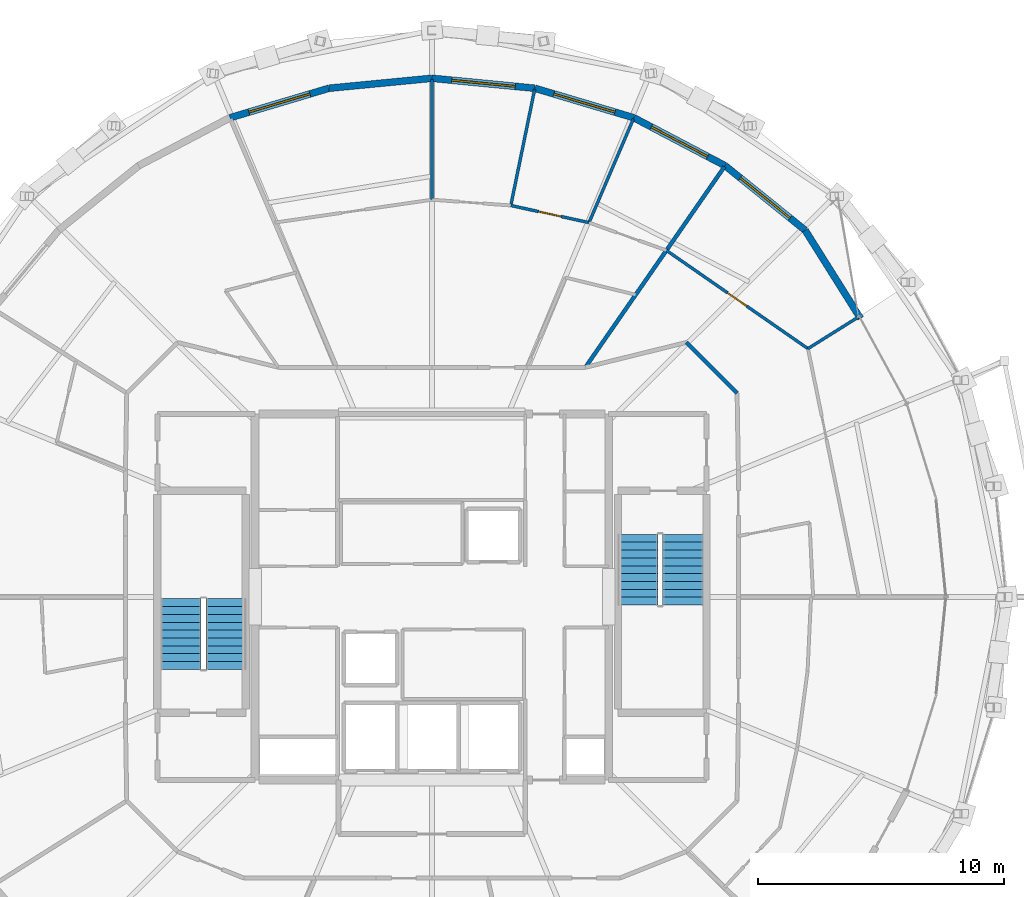
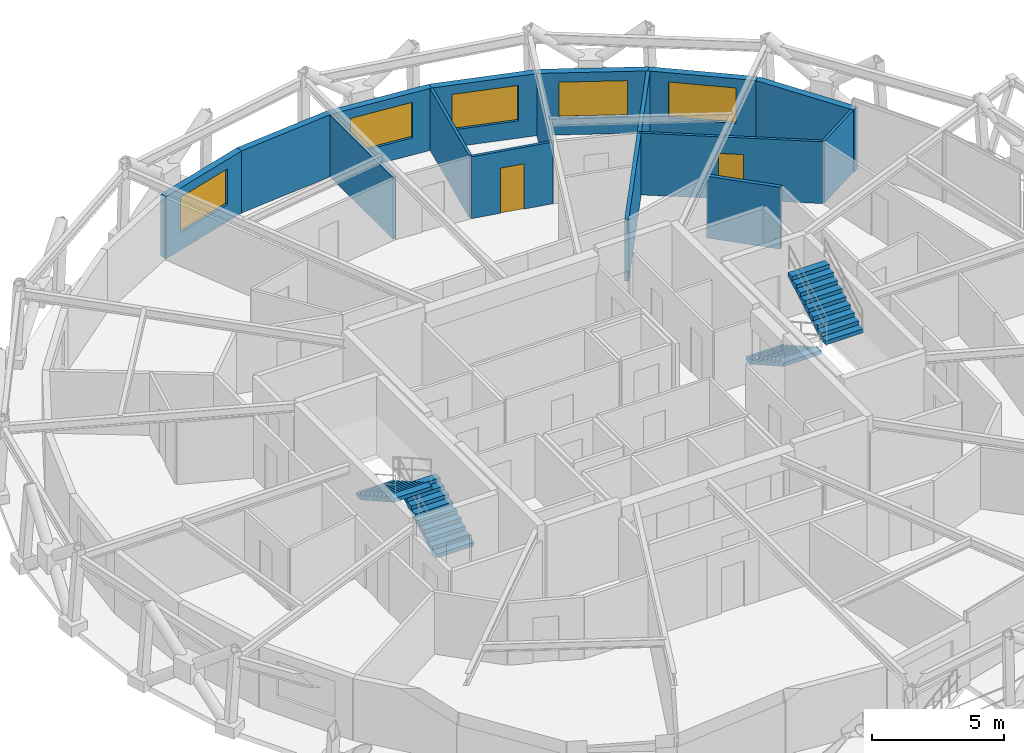
# One storey, part 17 of 18: 15 walls, 5 windows, 4 stair flights, 2 doors, 7 openings, 2 elements without a shape of their own.
"""IFC4 building model written with IfcOpenShell, lengths in metres."""

from ifc_helpers import new_model, si_unit, direction, frame, frame_2d, origin, place, context, subcontext, project, spatial, polyline, rectangle, outline, extrude, material, layer, layer_set, type_object, element, fill, aggregate, save


model = new_model("IFC4")

# Units and contexts
model_context = context("Model", 3, precision=1e-05, world=origin(), true_north=direction((0.0, 1.0)))
body_context = subcontext(model_context, "Body", "Model", "MODEL_VIEW")
ifc_project = project(units=[si_unit("LENGTHUNIT", "METRE"), si_unit("AREAUNIT", "SQUARE_METRE"), si_unit("VOLUMEUNIT", "CUBIC_METRE"), si_unit("PLANEANGLEUNIT", "RADIAN"), si_unit("MASSUNIT", "GRAM", prefix="KILO")], contexts=[model_context])

# Site, building, storey
site_placement = place(None, origin())
site = spatial("IfcSite", under=ifc_project, at=site_placement, CompositionType="ELEMENT")
building_placement = place(site_placement, origin())
building = spatial("IfcBuilding", under=site, at=building_placement, Name="Veldorina Hangang Commons", CompositionType="ELEMENT")
storey_placement = place(building_placement, frame((0.0, 0.0, 243.60009765625)))
storey = spatial("IfcBuildingStorey", under=building, at=storey_placement, Name="L63", CompositionType="ELEMENT", Elevation=243.60009765625)

# Wall
ifc_material_1 = material(Name="Stone Roman Travertine", Category="masonry")
ifc_layer_1 = layer(ifc_material_1, 0.280029296875)
ifc_layer_set_1 = layer_set([ifc_layer_1], Name="Stone Roman Travertine")
wall_type_1 = type_object("IfcWallType", Name="EW-TRAV-280", PredefinedType="STANDARD", material=ifc_layer_set_1)
wall_1_placement = place(storey_placement, frame((49.454345703125, 35.345703125, 0.0), z_axis=(0.0, 0.0, 1.0), x_axis=(-0.532176262315, 0.846633584161, 0.0)))
element("IfcWall", 1, at=wall_1_placement, inside=storey, type_object=wall_type_1, Name="L63 travertine facade wall 03", PredefinedType="STANDARD", context=body_context, shape_type="SweptSolid", body=[
    extrude(rectangle(XDim=4.23974609375, YDim=0.280029296875, at=frame_2d((2.119873046875, 0.0))), origin(), (0.0, 0.0, 1.0), 2.8798828125),
])

# Wall, opening, window
wall_2_placement = place(storey_placement, frame((47.197998046875, 38.935302734375, 0.0), z_axis=(0.0, 0.0, 1.0), x_axis=(-0.778409360575, 0.627757012999, 0.0)))
wall_2 = element("IfcWall", 2, at=wall_2_placement, inside=storey, type_object=wall_type_1, Name="L63 travertine facade wall 04", PredefinedType="STANDARD", context=body_context, shape_type="SweptSolid", body=[
    extrude(rectangle(XDim=4.184326171875, YDim=0.280029296875, at=frame_2d((2.09228515625, 0.0))), origin(), (0.0, 0.0, 1.0), 2.8798828125),
])
opening_1_placement = place(wall_2_placement, frame((0.7919921875, 0.0, 0.800048828125)))
opening_1 = element("IfcOpeningElement", 3, at=opening_1_placement, cuts=wall_2, Name="Opening W-02", PredefinedType="OPENING", context=body_context, shape_type="SweptSolid", body=[
    extrude(rectangle(XDim=2.60009765625, YDim=1.64990234375, at=frame_2d((1.300048828125, 0.824951171875))), frame((0.0, 0.14990234375, 0.0), z_axis=(0.0, -1.0, 0.0), x_axis=(1.0, 0.0, 0.0)), (0.0, 0.0, 1.0), 0.300048828125),
])
ifc_material_2 = material(Name="Glass Low-E Triple IGU", Category="glass")
window_type = type_object("IfcWindowType", Name="WIN-TWR-2600", PartitioningType="SINGLE_PANEL", PredefinedType="WINDOW", material=ifc_material_2)
window_1_placement = place(opening_1_placement, origin())
window_1 = element("IfcWindow", 4, at=window_1_placement, inside=storey, type_object=window_type, Name="L63 facade window 04", OverallHeight=1.64990234375, OverallWidth=2.60009765625, PartitioningType="SINGLE_PANEL", PredefinedType="WINDOW", context=body_context, shape_type="SweptSolid", body=[
    extrude(rectangle(XDim=2.60009765625, YDim=1.64990234375, at=frame_2d((1.300048828125, 0.824951171875))), frame((0.0, 0.030029296875, 0.0), z_axis=(0.0, -1.0, 0.0), x_axis=(1.0, 0.0, 0.0)), (0.0, 0.0, 1.0), 0.06005859375),
])
fill(opening_1, window_1)

wall_3_placement = place(storey_placement, frame((43.94091796875, 41.56201171875, 0.0), z_axis=(0.0, 0.0, 1.0), x_axis=(-0.885290153249, 0.46503907853, 0.0)))
wall_3 = element("IfcWall", 5, at=wall_3_placement, inside=storey, type_object=wall_type_1, Name="L63 travertine facade wall 05", PredefinedType="STANDARD", context=body_context, shape_type="SweptSolid", body=[
    extrude(rectangle(XDim=4.197265625, YDim=0.280029296875, at=frame_2d((2.0986328125, 0.0))), origin(), (0.0, 0.0, 1.0), 2.8798828125),
])
opening_2_placement = place(wall_3_placement, frame((0.798583984375, 0.0, 0.800048828125)))
opening_2 = element("IfcOpeningElement", 6, at=opening_2_placement, cuts=wall_3, Name="Opening W-02", PredefinedType="OPENING", context=body_context, shape_type="SweptSolid", body=[
    extrude(rectangle(XDim=2.60009765625, YDim=1.64990234375, at=frame_2d((1.300048828125, 0.824951171875))), frame((0.0, 0.14990234375, 0.0), z_axis=(0.0, -1.0, 0.0), x_axis=(1.0, 0.0, 0.0)), (0.0, 0.0, 1.0), 0.300048828125),
])
window_2_placement = place(opening_2_placement, origin())
window_2 = element("IfcWindow", 7, at=window_2_placement, inside=storey, type_object=window_type, Name="L63 facade window 05", OverallHeight=1.64990234375, OverallWidth=2.60009765625, PartitioningType="SINGLE_PANEL", PredefinedType="WINDOW", context=body_context, shape_type="SweptSolid", body=[
    extrude(rectangle(XDim=2.60009765625, YDim=1.64990234375, at=frame_2d((1.300048828125, 0.824951171875))), frame((0.0, 0.030029296875, 0.0), z_axis=(0.0, -1.0, 0.0), x_axis=(1.0, 0.0, 0.0)), (0.0, 0.0, 1.0), 0.06005859375),
])
fill(opening_2, window_2)

wall_4_placement = place(storey_placement, frame((40.22509765625, 43.513916015625, 0.0), z_axis=(0.0, 0.0, 1.0), x_axis=(-0.958312014412, 0.285723788009, 0.0)))
wall_4 = element("IfcWall", 8, at=wall_4_placement, inside=storey, type_object=wall_type_1, Name="L63 travertine facade wall 06", PredefinedType="STANDARD", context=body_context, shape_type="SweptSolid", body=[
    extrude(rectangle(XDim=4.207275390625, YDim=0.280029296875, at=frame_2d((2.103515625, 0.0))), origin(), (0.0, 0.0, 1.0), 2.8798828125),
])
opening_3_placement = place(wall_4_placement, frame((0.8037109375, 0.0, 0.800048828125)))
opening_3 = element("IfcOpeningElement", 9, at=opening_3_placement, cuts=wall_4, Name="Opening W-02", PredefinedType="OPENING", context=body_context, shape_type="SweptSolid", body=[
    extrude(rectangle(XDim=2.60009765625, YDim=1.64990234375, at=frame_2d((1.300048828125, 0.824951171875))), frame((0.0, 0.14990234375, 0.0), z_axis=(0.0, -1.0, 0.0), x_axis=(1.0, 0.0, 0.0)), (0.0, 0.0, 1.0), 0.300048828125),
])
window_3_placement = place(opening_3_placement, origin())
window_3 = element("IfcWindow", 10, at=window_3_placement, inside=storey, type_object=window_type, Name="L63 facade window 06", OverallHeight=1.64990234375, OverallWidth=2.60009765625, PartitioningType="SINGLE_PANEL", PredefinedType="WINDOW", context=body_context, shape_type="SweptSolid", body=[
    extrude(rectangle(XDim=2.60009765625, YDim=1.64990234375, at=frame_2d((1.300048828125, 0.824951171875))), frame((0.0, 0.030029296875, 0.0), z_axis=(0.0, -1.0, 0.0), x_axis=(1.0, 0.0, 0.0)), (0.0, 0.0, 1.0), 0.06005859375),
])
fill(opening_3, window_3)

wall_5_placement = place(storey_placement, frame((36.193115234375, 44.716064453125, 0.0), z_axis=(0.0, 0.0, 1.0), x_axis=(-0.995350551252, 0.096318638497, 0.0)))
wall_5 = element("IfcWall", 11, at=wall_5_placement, inside=storey, type_object=wall_type_1, Name="L63 travertine facade wall 07", PredefinedType="STANDARD", context=body_context, shape_type="SweptSolid", body=[
    extrude(rectangle(XDim=4.212646484375, YDim=0.280029296875, at=frame_2d((2.1064453125, 0.0))), origin(), (0.0, 0.0, 1.0), 2.8798828125),
])
opening_4_placement = place(wall_5_placement, frame((0.806396484375, 0.0, 0.800048828125)))
opening_4 = element("IfcOpeningElement", 12, at=opening_4_placement, cuts=wall_5, Name="Opening W-02", PredefinedType="OPENING", context=body_context, shape_type="SweptSolid", body=[
    extrude(rectangle(XDim=2.60009765625, YDim=1.64990234375, at=frame_2d((1.300048828125, 0.824951171875))), frame((0.0, 0.14990234375, 0.0), z_axis=(0.0, -1.0, 0.0), x_axis=(1.0, 0.0, 0.0)), (0.0, 0.0, 1.0), 0.300048828125),
])
window_4_placement = place(opening_4_placement, origin())
window_4 = element("IfcWindow", 13, at=window_4_placement, inside=storey, type_object=window_type, Name="L63 facade window 07", OverallHeight=1.64990234375, OverallWidth=2.60009765625, PartitioningType="SINGLE_PANEL", PredefinedType="WINDOW", context=body_context, shape_type="SweptSolid", body=[
    extrude(rectangle(XDim=2.60009765625, YDim=1.64990234375, at=frame_2d((1.300048828125, 0.824951171875))), frame((0.0, 0.030029296875, 0.0), z_axis=(0.0, -1.0, 0.0), x_axis=(1.0, 0.0, 0.0)), (0.0, 0.0, 1.0), 0.06005859375),
])
fill(opening_4, window_4)

# Wall
wall_6_placement = place(storey_placement, frame((32.0, 45.121826171875, 0.0), z_axis=(0.0, 0.0, 1.0), x_axis=(-0.995350551252, -0.096318638497, 0.0)))
element("IfcWall", 14, at=wall_6_placement, inside=storey, type_object=wall_type_1, Name="L63 travertine facade wall 08", PredefinedType="STANDARD", context=body_context, shape_type="SweptSolid", body=[
    extrude(rectangle(XDim=4.212646484375, YDim=0.280029296875, at=frame_2d((2.1064453125, 0.0))), origin(), (0.0, 0.0, 1.0), 2.8798828125),
])

# Wall, opening, window
wall_7_placement = place(storey_placement, frame((27.806884765625, 44.716064453125, 0.0), z_axis=(0.0, 0.0, 1.0), x_axis=(-0.958312014412, -0.285723788009, 0.0)))
wall_7 = element("IfcWall", 15, at=wall_7_placement, inside=storey, type_object=wall_type_1, Name="L63 travertine facade wall 09", PredefinedType="STANDARD", context=body_context, shape_type="SweptSolid", body=[
    extrude(rectangle(XDim=4.207275390625, YDim=0.280029296875, at=frame_2d((2.103515625, 0.0))), origin(), (0.0, 0.0, 1.0), 2.8798828125),
])
opening_5_placement = place(wall_7_placement, frame((0.8037109375, 0.0, 0.800048828125)))
opening_5 = element("IfcOpeningElement", 16, at=opening_5_placement, cuts=wall_7, Name="Opening W-02", PredefinedType="OPENING", context=body_context, shape_type="SweptSolid", body=[
    extrude(rectangle(XDim=2.60009765625, YDim=1.64990234375, at=frame_2d((1.300048828125, 0.824951171875))), frame((0.0, 0.14990234375, 0.0), z_axis=(0.0, -1.0, 0.0), x_axis=(1.0, 0.0, 0.0)), (0.0, 0.0, 1.0), 0.300048828125),
])
window_5_placement = place(opening_5_placement, origin())
window_5 = element("IfcWindow", 17, at=window_5_placement, inside=storey, type_object=window_type, Name="L63 facade window 09", OverallHeight=1.64990234375, OverallWidth=2.60009765625, PartitioningType="SINGLE_PANEL", PredefinedType="WINDOW", context=body_context, shape_type="SweptSolid", body=[
    extrude(rectangle(XDim=2.60009765625, YDim=1.64990234375, at=frame_2d((1.300048828125, 0.824951171875))), frame((0.0, 0.030029296875, 0.0), z_axis=(0.0, -1.0, 0.0), x_axis=(1.0, 0.0, 0.0)), (0.0, 0.0, 1.0), 0.06005859375),
])
fill(opening_5, window_5)

# Walls
ifc_material_3 = material(Name="Gypsum Fire-Rated Twin Stud Wall", Category="gypsum")
ifc_layer_2 = layer(ifc_material_3, 0.159912109375)
ifc_layer_set_2 = layer_set([ifc_layer_2], Name="Gypsum Fire-Rated Twin Stud Wall")
wall_type_2 = type_object("IfcWallType", Name="WL-FIRE-160", PredefinedType="SOLIDWALL", material=ifc_layer_set_2)
wall_8_placement = place(storey_placement, frame((44.4267578125, 32.30322265625, 0.0), z_axis=(0.0, 0.0, 1.0), x_axis=(-0.707106781187, 0.707106781187, 0.0)))
element("IfcWall", 18, at=wall_8_placement, inside=storey, type_object=wall_type_2, Name="L63 Compact collar outer wall 03 055", PredefinedType="SOLIDWALL", context=body_context, shape_type="SweptSolid", body=[
    extrude(rectangle(XDim=2.915771484375, YDim=0.159912109375, at=frame_2d((1.4580078125, 0.0))), origin(), (0.0, 0.0, 1.0), 2.869873046875),
])
wall_9_placement = place(storey_placement, frame((38.24755859375, 33.35009765625, 0.0), z_axis=(0.0, 0.0, 1.0), x_axis=(0.56977166182, 0.821803050242, 0.0)))
element("IfcWall", 19, at=wall_9_placement, inside=storey, type_object=wall_type_2, Name="L63 Unit party wall 05 095", PredefinedType="SOLIDWALL", context=body_context, shape_type="SweptSolid", body=[
    extrude(rectangle(XDim=9.942626953125, YDim=0.159912109375, at=frame_2d((4.97119140625, 0.0))), origin(), (0.0, 0.0, 1.0), 2.869873046875),
])

# Wall, opening, door
ifc_material_4 = material(Name="Gypsum Acoustic Stud Partition", Category="gypsum")
ifc_layer_3 = layer(ifc_material_4, 0.1201171875)
ifc_layer_set_3 = layer_set([ifc_layer_3], Name="Gypsum Acoustic Stud Partition")
wall_type_3 = type_object("IfcWallType", Name="WL-PART-120", PredefinedType="PARTITIONING", material=ifc_layer_set_3)
wall_10_placement = place(storey_placement, frame((47.314208984375, 34.113037109375, 0.0), z_axis=(0.0, 0.0, 1.0), x_axis=(-0.821574143978, 0.570101680358, 0.0)))
wall_10 = element("IfcWall", 20, at=wall_10_placement, inside=storey, type_object=wall_type_3, Name="L63 Cluster 2 bed 2 front wall 093", PredefinedType="PARTITIONING", context=body_context, shape_type="SweptSolid", body=[
    extrude(rectangle(XDim=7.016357421875, YDim=0.1201171875, at=frame_2d((3.50830078125, 0.0))), origin(), (0.0, 0.0, 1.0), 2.869873046875),
])
opening_6_placement = place(wall_10_placement, frame((3.033203125, 0.0, 0.0)))
opening_6 = element("IfcOpeningElement", 21, at=opening_6_placement, cuts=wall_10, Name="Opening D-02", PredefinedType="OPENING", context=body_context, shape_type="SweptSolid", body=[
    extrude(rectangle(XDim=0.949951171875, YDim=2.10009765625, at=frame_2d((0.47509765625, 1.050048828125))), frame((0.0, 0.070068359375, 0.0), z_axis=(0.0, -1.0, 0.0), x_axis=(1.0, 0.0, 0.0)), (0.0, 0.0, 1.0), 0.14013671875),
])
ifc_material_5 = material(Name="Timber Solid Core Acoustic", Category="wood")
door_type = type_object("IfcDoorType", Name="DR-INT-950", OperationType="SINGLE_SWING_LEFT", PredefinedType="DOOR", material=ifc_material_5)
door_1_placement = place(opening_6_placement, origin())
door_1 = element("IfcDoor", 22, at=door_1_placement, inside=storey, type_object=door_type, Name="L63 Cluster 2 bed 2 door 025", OperationType="SINGLE_SWING_LEFT", OverallHeight=2.10009765625, OverallWidth=0.949951171875, PredefinedType="DOOR", context=body_context, shape_type="SweptSolid", body=[
    extrude(rectangle(XDim=0.949951171875, YDim=2.10009765625, at=frame_2d((0.47509765625, 1.050048828125))), frame((0.0, 0.02490234375, 0.0), z_axis=(0.0, -1.0, 0.0), x_axis=(1.0, 0.0, 0.0)), (0.0, 0.0, 1.0), 0.050048828125),
])
fill(opening_6, door_1)

# Wall
wall_11_placement = place(storey_placement, frame((47.314208984375, 34.113037109375, 0.0), z_axis=(0.0, 0.0, 1.0), x_axis=(0.847333885664, 0.5310605297, 0.0)))
element("IfcWall", 23, at=wall_11_placement, inside=storey, type_object=wall_type_3, Name="L63 Cluster 2 bed divider 1 094", PredefinedType="PARTITIONING", context=body_context, shape_type="SweptSolid", body=[
    extrude(rectangle(XDim=2.417724609375, YDim=0.1201171875, at=frame_2d((1.208984375, 0.0))), origin(), (0.0, 0.0, 1.0), 2.869873046875),
])

# Wall, opening, door
wall_12_placement = place(storey_placement, frame((38.397216796875, 39.2451171875, 0.0), z_axis=(0.0, 0.0, 1.0), x_axis=(-0.976852106819, 0.213915781098, 0.0)))
wall_12 = element("IfcWall", 24, at=wall_12_placement, inside=storey, type_object=wall_type_3, Name="L63 Cluster 3 bed 2 front wall 099", PredefinedType="PARTITIONING", context=body_context, shape_type="SweptSolid", body=[
    extrude(rectangle(XDim=3.259521484375, YDim=0.1201171875, at=frame_2d((1.6298828125, 0.0))), origin(), (0.0, 0.0, 1.0), 2.869873046875),
])
opening_7_placement = place(wall_12_placement, frame((1.15478515625, 0.0, 0.0)))
opening_7 = element("IfcOpeningElement", 25, at=opening_7_placement, cuts=wall_12, Name="Opening D-02", PredefinedType="OPENING", context=body_context, shape_type="SweptSolid", body=[
    extrude(rectangle(XDim=0.949951171875, YDim=2.10009765625, at=frame_2d((0.47509765625, 1.050048828125))), frame((0.0, 0.070068359375, 0.0), z_axis=(0.0, -1.0, 0.0), x_axis=(1.0, 0.0, 0.0)), (0.0, 0.0, 1.0), 0.14013671875),
])
door_2_placement = place(opening_7_placement, origin())
door_2 = element("IfcDoor", 26, at=door_2_placement, inside=storey, type_object=door_type, Name="L63 Cluster 3 bed 2 door 029", OperationType="SINGLE_SWING_LEFT", OverallHeight=2.10009765625, OverallWidth=0.949951171875, PredefinedType="DOOR", context=body_context, shape_type="SweptSolid", body=[
    extrude(rectangle(XDim=0.949951171875, YDim=2.10009765625, at=frame_2d((0.47509765625, 1.050048828125))), frame((0.0, 0.02490234375, 0.0), z_axis=(0.0, -1.0, 0.0), x_axis=(1.0, 0.0, 0.0)), (0.0, 0.0, 1.0), 0.050048828125),
])
fill(opening_7, door_2)

# Walls
wall_13_placement = place(storey_placement, frame((38.397216796875, 39.2451171875, 0.0), z_axis=(0.0, 0.0, 1.0), x_axis=(0.393604976549, 0.919279675853, 0.0)))
element("IfcWall", 27, at=wall_13_placement, inside=storey, type_object=wall_type_3, Name="L63 Cluster 3 bed divider 1 100", PredefinedType="PARTITIONING", context=body_context, shape_type="SweptSolid", body=[
    extrude(rectangle(XDim=4.59375, YDim=0.1201171875, at=frame_2d((2.296875, 0.0))), origin(), (0.0, 0.0, 1.0), 2.869873046875),
])
wall_14_placement = place(storey_placement, frame((35.213134765625, 39.9423828125, 0.0), z_axis=(0.0, 0.0, 1.0), x_axis=(0.201107301766, 0.979569218165, 0.0)))
element("IfcWall", 28, at=wall_14_placement, inside=storey, type_object=wall_type_3, Name="L63 Cluster 3 bed divider 2 102", PredefinedType="PARTITIONING", context=body_context, shape_type="SweptSolid", body=[
    extrude(rectangle(XDim=4.8232421875, YDim=0.1201171875, at=frame_2d((2.41162109375, 0.0))), origin(), (0.0, 0.0, 1.0), 2.869873046875),
])
wall_15_placement = place(storey_placement, frame((32.0, 40.177490234375, 0.0), z_axis=(0.0, 0.0, 1.0), x_axis=(0.0, 1.0, 0.0)))
element("IfcWall", 29, at=wall_15_placement, inside=storey, type_object=wall_type_3, Name="L63 Cluster 3 bed divider 3 104", PredefinedType="PARTITIONING", context=body_context, shape_type="SweptSolid", body=[
    extrude(rectangle(XDim=4.894287109375, YDim=0.1201171875, at=frame_2d((2.447265625, 0.0))), origin(), (0.0, 0.0, 1.0), 2.869873046875),
])

# Stair, stair flights
ifc_material_6 = material(Name="Concrete C40/50", Category="concrete")
stair_type = type_object("IfcStairType", Name="STR-DOG-1650-20R", PredefinedType="HALF_TURN_STAIR", material=ifc_material_6)
stair_1_placement = place(storey_placement, origin())
stair_1 = element("IfcStair", 30, at=stair_1_placement, inside=storey, type_object=stair_type, Name="L63 Exit stair ST-1", PredefinedType="HALF_TURN_STAIR")
stair_flight_type = type_object("IfcStairFlightType", Name="SFL-STR-1650-20R", PredefinedType="STRAIGHT", material=ifc_material_6)
stair_flight_1_placement = place(storey_placement, frame((23.625, 21.050048828125, 0.0), z_axis=(0.0, 0.0, 1.0), x_axis=(0.0, 1.0, 0.0)))
stair_flight_1 = element("IfcStairFlight", 31, at=stair_flight_1_placement, type_object=stair_flight_type, Name="ST-1 flight 1", NumberOfRisers=10, NumberOfTreads=9, PredefinedType="STRAIGHT", RiserHeight=0.18, TreadLength=0.32, context=body_context, shape_type="SweptSolid", body=[
    extrude(outline(polyline([(0.0, 0.0), (0.0, 0.179931640625), (0.320068359375, 0.179931640625), (0.320068359375, 0.360107421875), (0.639892578125, 0.360107421875), (0.639892578125, 0.5400390625), (0.9599609375, 0.5400390625), (0.9599609375, 0.719970703125), (1.280029296875, 0.719970703125), (1.280029296875, 0.89990234375), (1.60009765625, 0.89990234375), (1.60009765625, 1.080078125), (1.919921875, 1.080078125), (1.919921875, 1.260009765625), (2.239990234375, 1.260009765625), (2.239990234375, 1.43994140625), (2.56005859375, 1.43994140625), (2.56005859375, 1.6201171875), (2.8798828125, 1.6201171875), (2.8798828125, 1.800048828125), (2.8798828125, 1.447998046875), (0.3056640625, 0.0), (0.0, 0.0)])), frame((0.0, 0.824951171875, 0.0), z_axis=(0.0, -1.0, 0.0), x_axis=(1.0, 0.0, 0.0)), (0.0, 0.0, 1.0), 1.64990234375),
])
stair_flight_2_placement = place(storey_placement, frame((21.77490234375, 23.929931640625, 1.7998046875), z_axis=(0.0, 0.0, 1.0), x_axis=(0.0, -1.0, 0.0)))
stair_flight_2 = element("IfcStairFlight", 32, at=stair_flight_2_placement, type_object=stair_flight_type, Name="ST-1 flight 2", NumberOfRisers=10, NumberOfTreads=9, PredefinedType="STRAIGHT", RiserHeight=0.18, TreadLength=0.32, context=body_context, shape_type="SweptSolid", body=[
    extrude(outline(polyline([(0.0, 0.0), (0.0, 0.179931640625), (0.320068359375, 0.179931640625), (0.320068359375, 0.360107421875), (0.639892578125, 0.360107421875), (0.639892578125, 0.5400390625), (0.9599609375, 0.5400390625), (0.9599609375, 0.719970703125), (1.280029296875, 0.719970703125), (1.280029296875, 0.89990234375), (1.60009765625, 0.89990234375), (1.60009765625, 1.080078125), (1.919921875, 1.080078125), (1.919921875, 1.260009765625), (2.239990234375, 1.260009765625), (2.239990234375, 1.43994140625), (2.56005859375, 1.43994140625), (2.56005859375, 1.6201171875), (2.8798828125, 1.6201171875), (2.8798828125, 1.800048828125), (2.8798828125, 1.447998046875), (0.3056640625, 0.0), (0.0, 0.0)])), frame((0.0, 0.824951171875, 0.0), z_axis=(0.0, -1.0, 0.0), x_axis=(1.0, 0.0, 0.0)), (0.0, 0.0, 1.0), 1.64990234375),
])
aggregate(stair_1, [stair_flight_1, stair_flight_2])

stair_2_placement = place(storey_placement, origin())
stair_2 = element("IfcStair", 33, at=stair_2_placement, inside=storey, type_object=stair_type, Name="L63 Exit stair ST-2", PredefinedType="HALF_TURN_STAIR")
stair_flight_3_placement = place(storey_placement, frame((40.375, 26.550048828125, 0.0), z_axis=(0.0, 0.0, 1.0), x_axis=(0.0, -1.0, 0.0)))
stair_flight_3 = element("IfcStairFlight", 34, at=stair_flight_3_placement, type_object=stair_flight_type, Name="ST-2 flight 1", NumberOfRisers=10, NumberOfTreads=9, PredefinedType="STRAIGHT", RiserHeight=0.18, TreadLength=0.32, context=body_context, shape_type="SweptSolid", body=[
    extrude(outline(polyline([(0.0, 0.0), (0.0, 0.179931640625), (0.320068359375, 0.179931640625), (0.320068359375, 0.360107421875), (0.639892578125, 0.360107421875), (0.639892578125, 0.5400390625), (0.9599609375, 0.5400390625), (0.9599609375, 0.719970703125), (1.280029296875, 0.719970703125), (1.280029296875, 0.89990234375), (1.60009765625, 0.89990234375), (1.60009765625, 1.080078125), (1.919921875, 1.080078125), (1.919921875, 1.260009765625), (2.239990234375, 1.260009765625), (2.239990234375, 1.43994140625), (2.56005859375, 1.43994140625), (2.56005859375, 1.6201171875), (2.8798828125, 1.6201171875), (2.8798828125, 1.800048828125), (2.8798828125, 1.447998046875), (0.3056640625, 0.0), (0.0, 0.0)])), frame((0.0, 0.824951171875, 0.0), z_axis=(0.0, -1.0, 0.0), x_axis=(1.0, 0.0, 0.0)), (0.0, 0.0, 1.0), 1.64990234375),
])
stair_flight_4_placement = place(storey_placement, frame((42.22509765625, 23.669921875, 1.7998046875), z_axis=(0.0, 0.0, 1.0), x_axis=(0.0, 1.0, 0.0)))
stair_flight_4 = element("IfcStairFlight", 35, at=stair_flight_4_placement, type_object=stair_flight_type, Name="ST-2 flight 2", NumberOfRisers=10, NumberOfTreads=9, PredefinedType="STRAIGHT", RiserHeight=0.18, TreadLength=0.32, context=body_context, shape_type="SweptSolid", body=[
    extrude(outline(polyline([(0.0, 0.0), (0.0, 0.179931640625), (0.320068359375, 0.179931640625), (0.320068359375, 0.360107421875), (0.639892578125, 0.360107421875), (0.639892578125, 0.5400390625), (0.9599609375, 0.5400390625), (0.9599609375, 0.719970703125), (1.280029296875, 0.719970703125), (1.280029296875, 0.89990234375), (1.60009765625, 0.89990234375), (1.60009765625, 1.080078125), (1.919921875, 1.080078125), (1.919921875, 1.260009765625), (2.239990234375, 1.260009765625), (2.239990234375, 1.43994140625), (2.56005859375, 1.43994140625), (2.56005859375, 1.6201171875), (2.8798828125, 1.6201171875), (2.8798828125, 1.800048828125), (2.8798828125, 1.447998046875), (0.3056640625, 0.0), (0.0, 0.0)])), frame((0.0, 0.824951171875, 0.0), z_axis=(0.0, -1.0, 0.0), x_axis=(1.0, 0.0, 0.0)), (0.0, 0.0, 1.0), 1.64990234375),
])
aggregate(stair_2, [stair_flight_3, stair_flight_4])

save(model, "model.ifc")
